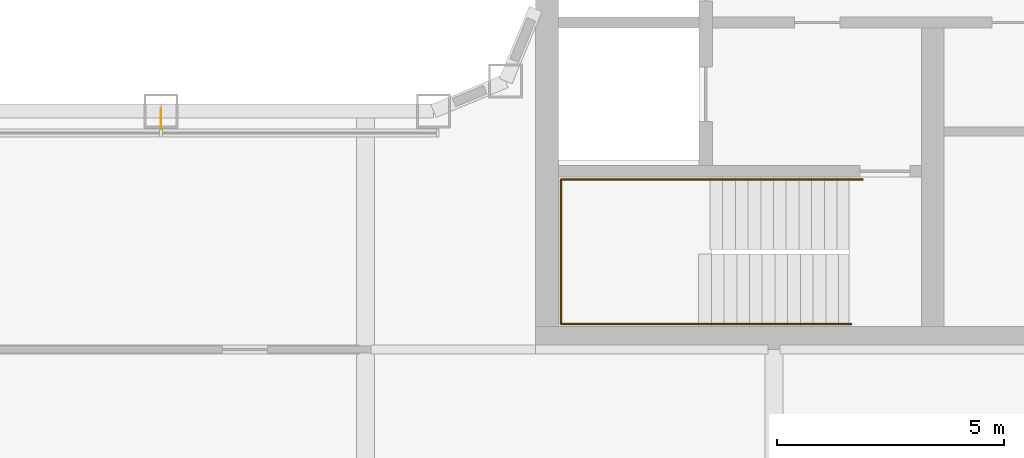
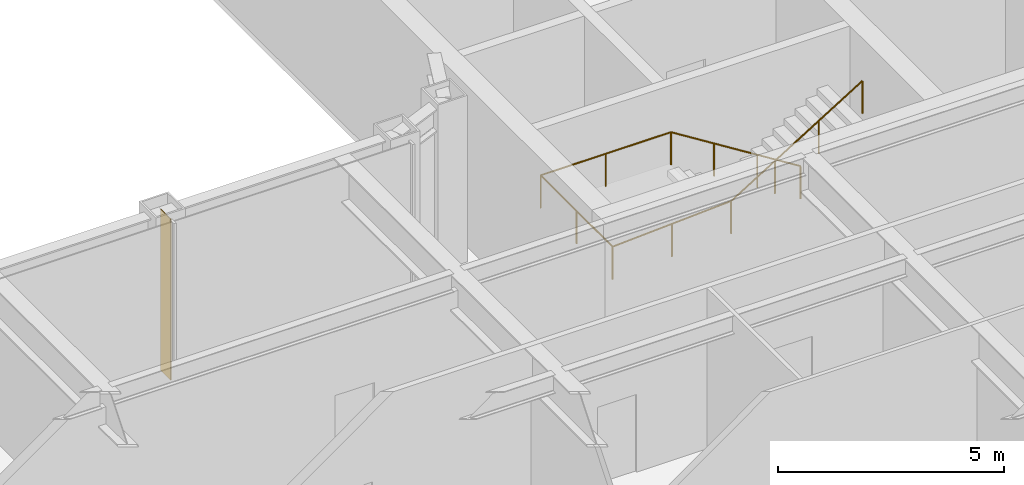
# One storey, part 24 of 28: 1 railing, 1 shading device.
"""IFC4 building model written with IfcOpenShell, lengths in metres."""

from ifc_helpers import new_model, si_unit, direction, frame, origin, origin_2d, place, context, subcontext, project, spatial, rectangle, circle, extrude, material, layer, layer_set, type_object, element, save


model = new_model("IFC4")

# Units and contexts
model_context = context("Model", 3, precision=1e-05, world=origin(), true_north=direction((0.0, 1.0)))
body_context = subcontext(model_context, "Body", "Model", "MODEL_VIEW")
ifc_project = project(units=[si_unit("LENGTHUNIT", "METRE"), si_unit("AREAUNIT", "SQUARE_METRE"), si_unit("VOLUMEUNIT", "CUBIC_METRE"), si_unit("PLANEANGLEUNIT", "RADIAN"), si_unit("MASSUNIT", "GRAM", prefix="KILO")], contexts=[model_context])

# Site, building, storey
site_placement = place(None, origin())
site = spatial("IfcSite", under=ifc_project, at=site_placement, CompositionType="ELEMENT")
building_placement = place(site_placement, origin())
building = spatial("IfcBuilding", under=site, at=building_placement, Name="Siwar Civic Tower", CompositionType="ELEMENT")
storey_placement = place(building_placement, frame((0.0, 0.0, 85.199951171875)))
storey = spatial("IfcBuildingStorey", under=building, at=storey_placement, Name="L18", CompositionType="ELEMENT", Elevation=85.199951171875)

# Railing
ifc_material_1 = material(Name="Stainless steel", Category="steel")
railing_type = type_object("IfcRailingType", Name="CORE-STAIR-HANDRAIL", PredefinedType="HANDRAIL", material=ifc_material_1)
railing_placement = place(storey_placement, frame((15.449951171875, -9.758056640625, 0.173095703125)))
element("IfcRailing", 1, at=railing_placement, inside=storey, type_object=railing_type, Name="Stair handrail ST4", PredefinedType="HANDRAIL", context=body_context, shape_type="SweptSolid", body=[
    extrude(circle(Radius=0.02001953125, at=origin_2d()), frame((0.0, 0.0, 0.8798828125), z_axis=(-0.847063342986, 0.0, 0.531491950051), x_axis=(0.0, -1.0, 0.0)), (0.0, 0.0, 1.0), 3.90771484375),
    extrude(circle(Radius=0.02001953125, at=origin_2d()), frame((-3.31005859375, 0.0, 2.956787109375), z_axis=(-1.0, 0.0, 0.0), x_axis=(0.0, -1.0, 0.0)), (0.0, 0.0, 1.0), 3.331787109375),
    extrude(circle(Radius=0.02001953125, at=origin_2d()), frame((-6.641845703125, 0.0, 2.956787109375), z_axis=(0.0, -1.0, 0.0), x_axis=(1.0, 0.0, 0.0)), (0.0, 0.0, 1.0), 3.183837890625),
    extrude(circle(Radius=0.02001953125, at=origin_2d()), frame((-6.641845703125, -3.183837890625, 2.956787109375), z_axis=(0.99837434197, 0.0, 0.056997134106), x_axis=(0.0, 1.0, 0.0)), (0.0, 0.0, 1.0), 3.036865234375),
    extrude(circle(Radius=0.02001953125, at=origin_2d()), frame((-3.60986328125, -3.183837890625, 3.1298828125), z_axis=(0.850606129759, 0.0, 0.525803396734), x_axis=(0.0, 1.0, 0.0)), (0.0, 0.0, 1.0), 3.949951171875),
    extrude(circle(Radius=0.02001953125, at=origin_2d()), origin(), (0.0, 0.0, 1.0), 0.85986328125),
    extrude(circle(Radius=0.02001953125, at=origin_2d()), frame((-1.103271484375, 0.0, 0.6923828125)), (0.0, 0.0, 1.0), 0.85986328125),
    extrude(circle(Radius=0.02001953125, at=origin_2d()), frame((-2.206787109375, 0.0, 1.384521484375)), (0.0, 0.0, 1.0), 0.85986328125),
    extrude(circle(Radius=0.02001953125, at=origin_2d()), frame((-3.31005859375, 0.0, 2.076904296875)), (0.0, 0.0, 1.0), 0.85986328125),
    extrude(circle(Radius=0.02001953125, at=origin_2d()), frame((-4.97607421875, 0.0, 2.076904296875)), (0.0, 0.0, 1.0), 0.85986328125),
    extrude(circle(Radius=0.02001953125, at=origin_2d()), frame((-6.641845703125, 0.0, 2.076904296875)), (0.0, 0.0, 1.0), 0.85986328125),
    extrude(circle(Radius=0.02001953125, at=origin_2d()), frame((-6.641845703125, -1.591796875, 2.076904296875)), (0.0, 0.0, 1.0), 0.85986328125),
    extrude(circle(Radius=0.02001953125, at=origin_2d()), frame((-6.641845703125, -3.183837890625, 2.076904296875)), (0.0, 0.0, 1.0), 0.85986328125),
    extrude(circle(Radius=0.02001953125, at=origin_2d()), frame((-5.1259765625, -3.183837890625, 2.16357421875)), (0.0, 0.0, 1.0), 0.85986328125),
    extrude(circle(Radius=0.02001953125, at=origin_2d()), frame((-3.60986328125, -3.183837890625, 2.25)), (0.0, 0.0, 1.0), 0.85986328125),
    extrude(circle(Radius=0.02001953125, at=origin_2d()), frame((-2.489990234375, -3.183837890625, 2.9423828125)), (0.0, 0.0, 1.0), 0.85986328125),
    extrude(circle(Radius=0.02001953125, at=origin_2d()), frame((-1.369873046875, -3.183837890625, 3.634521484375)), (0.0, 0.0, 1.0), 0.85986328125),
    extrude(circle(Radius=0.02001953125, at=origin_2d()), frame((-0.25, -3.183837890625, 4.326904296875)), (0.0, 0.0, 1.0), 0.85986328125),
])

# Shading device
ifc_material_2 = material(Name="Aluminium 6063-T6", Category="aluminium")
ifc_layer = layer(ifc_material_2, 0.02001953125)
ifc_layer_set = layer_set([ifc_layer], Name="Aluminium 6063-T6")
shading_device_type = type_object("IfcShadingDeviceType", Name="ENV-FIN", PredefinedType="JALOUSIE", material=ifc_layer_set)
shading_device_placement = place(storey_placement, frame((0.0, -8.419921875, 0.0), z_axis=(0.0, 0.0, 1.0), x_axis=(1.0, 0.0, 0.0)))
element("IfcShadingDevice", 2, at=shading_device_placement, inside=storey, type_object=shading_device_type, Name="SUNSHADE fin WS 1", PredefinedType="JALOUSIE", context=body_context, shape_type="SweptSolid", body=[
    extrude(rectangle(XDim=0.02001953125, YDim=0.449951171875, at=origin_2d()), origin(), (0.0, 0.0, 1.0), 4.35009765625),
])

save(model, "model.ifc")
